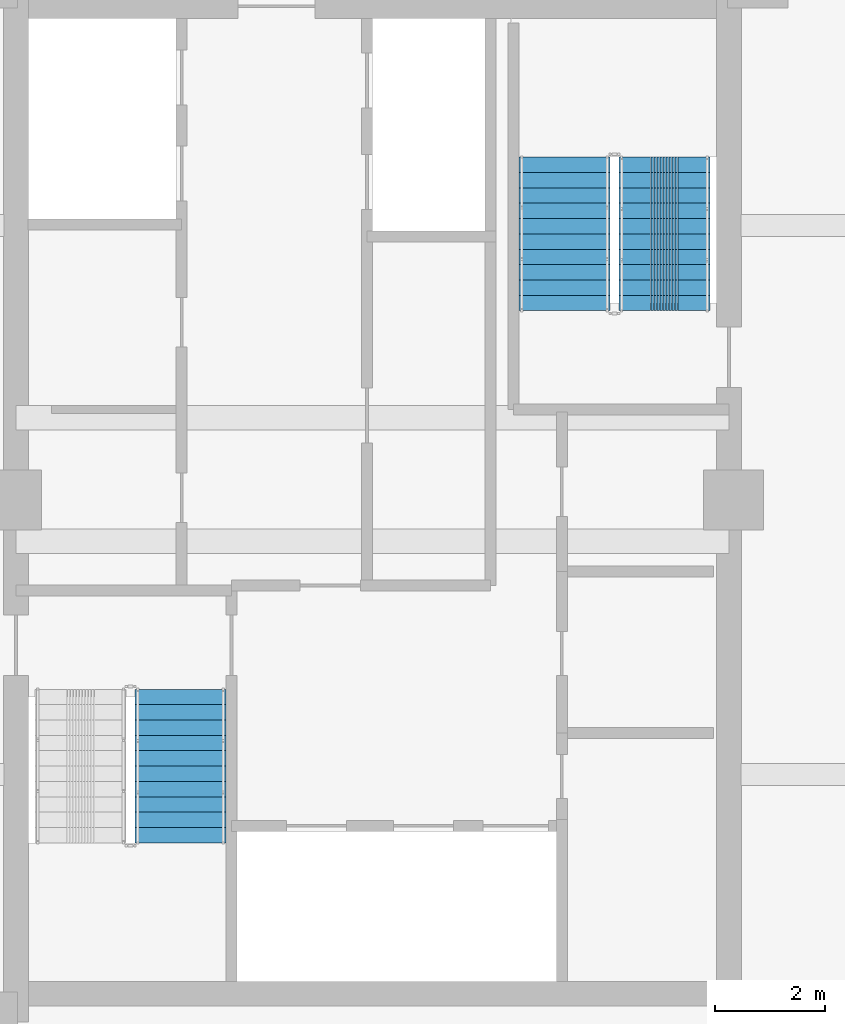
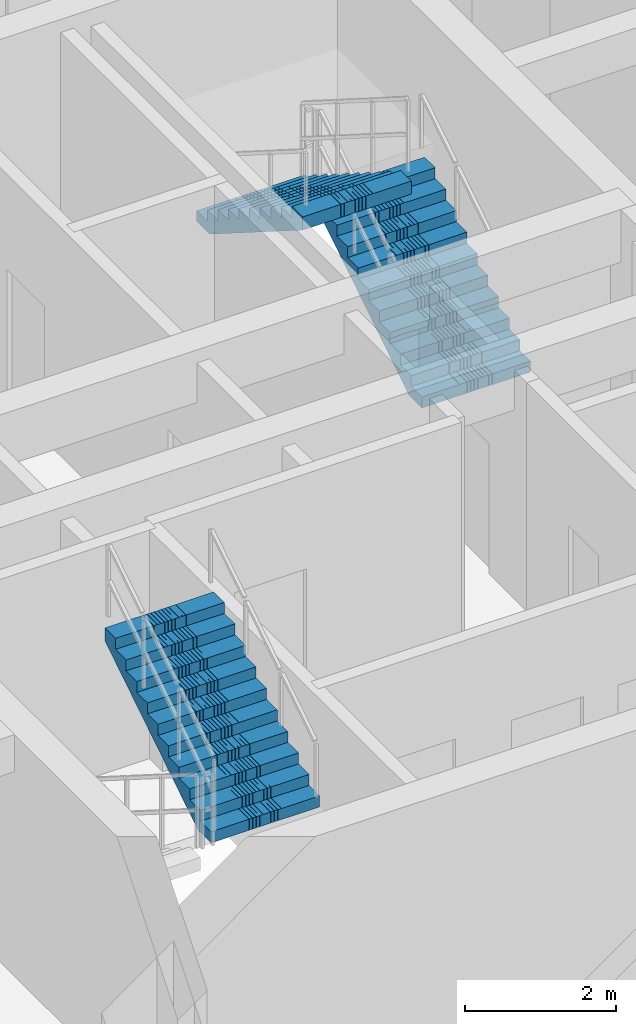
# One storey, part 8 of 13: 3 stair flights, 2 elements without a shape of their own.
"""IFC4 building model written with IfcOpenShell, lengths in metres."""

from ifc_helpers import new_model, si_unit, direction, frame, origin, place, context, subcontext, project, spatial, polyline, outline, extrude, material, type_object, element, aggregate, save


model = new_model("IFC4")

# Units and contexts
model_context = context("Model", 3, precision=1e-05, world=origin(), true_north=direction((0.0, 1.0)))
body_context = subcontext(model_context, "Body", "Model", "MODEL_VIEW")
ifc_project = project(units=[si_unit("LENGTHUNIT", "METRE"), si_unit("AREAUNIT", "SQUARE_METRE"), si_unit("VOLUMEUNIT", "CUBIC_METRE"), si_unit("PLANEANGLEUNIT", "RADIAN"), si_unit("MASSUNIT", "GRAM", prefix="KILO")], contexts=[model_context])

# Site, building, storey
site_placement = place(None, origin())
site = spatial("IfcSite", under=ifc_project, at=site_placement, CompositionType="ELEMENT")
building_placement = place(site_placement, origin())
building = spatial("IfcBuilding", under=site, at=building_placement, Name="Saelheon Loggia Tower", CompositionType="ELEMENT")
storey_placement = place(building_placement, frame((0.0, 0.0, 172.89990234375)))
storey = spatial("IfcBuildingStorey", under=building, at=storey_placement, Name="L54", CompositionType="ELEMENT", Elevation=172.89990234375)

# Stair, stair flight
ifc_material = material(Name="Concrete C40/50", Category="concrete")
stair_type = type_object("IfcStairType", Name="Stair_Escape_Core", PredefinedType="HALF_TURN_STAIR", material=ifc_material)
stair_1_placement = place(storey_placement, origin())
stair_1 = element("IfcStair", 1, at=stair_1_placement, inside=storey, type_object=stair_type, Name="L54 Special Escape Stair ST1", PredefinedType="HALF_TURN_STAIR")
stair_flight_type = type_object("IfcStairFlightType", Name="StairFlight_Tower_1660", PredefinedType="STRAIGHT", material=ifc_material)
stair_flight_1_placement = place(storey_placement, frame((34.5, 20.75, 1.9501953125), z_axis=(0.0, 0.0, 1.0), x_axis=(0.0, 1.0, 0.0)))
stair_flight_1 = element("IfcStairFlight", 2, at=stair_flight_1_placement, type_object=stair_flight_type, Name="ST1 flight 2", NumberOfRisers=11, NumberOfTreads=10, PredefinedType="STRAIGHT", RiserHeight=0.177272727, TreadLength=0.28, context=body_context, shape_type="SweptSolid", body=[
    extrude(outline(polyline([(0.0, 0.0), (0.0, 0.17724609375), (0.280029296875, 0.17724609375), (0.280029296875, 0.3544921875), (0.56005859375, 0.3544921875), (0.56005859375, 0.53173828125), (0.840087890625, 0.53173828125), (0.840087890625, 0.708984375), (1.1201171875, 0.708984375), (1.1201171875, 0.886474609375), (1.39990234375, 0.886474609375), (1.39990234375, 1.063720703125), (1.679931640625, 1.063720703125), (1.679931640625, 1.240966796875), (1.9599609375, 1.240966796875), (1.9599609375, 1.418212890625), (2.239990234375, 1.418212890625), (2.239990234375, 1.595458984375), (2.52001953125, 1.595458984375), (2.52001953125, 1.772705078125), (2.800048828125, 1.772705078125), (2.800048828125, 1.949951171875), (2.800048828125, 1.559814453125), (0.33642578125, 0.0), (0.0, 0.0)])), frame((0.0, -0.2490234375, 0.0), z_axis=(0.0, -1.0, 0.0), x_axis=(1.0, 0.0, 0.0)), (0.0, 0.0, 1.0), 0.5810546875),
    extrude(outline(polyline([(0.0, 0.0), (0.0, 0.17724609375), (0.280029296875, 0.17724609375), (0.280029296875, 0.3544921875), (0.56005859375, 0.3544921875), (0.56005859375, 0.53173828125), (0.840087890625, 0.53173828125), (0.840087890625, 0.708984375), (1.1201171875, 0.708984375), (1.1201171875, 0.886474609375), (1.39990234375, 0.886474609375), (1.39990234375, 1.063720703125), (1.679931640625, 1.063720703125), (1.679931640625, 1.240966796875), (1.9599609375, 1.240966796875), (1.9599609375, 1.418212890625), (2.239990234375, 1.418212890625), (2.239990234375, 1.595458984375), (2.52001953125, 1.595458984375), (2.52001953125, 1.772705078125), (2.800048828125, 1.772705078125), (2.800048828125, 1.949951171875), (2.800048828125, 1.559814453125), (0.33642578125, 0.0), (0.0, 0.0)])), frame((0.0, -0.194091796875, 0.0), z_axis=(0.0, -1.0, 0.0), x_axis=(1.0, 0.0, 0.0)), (0.0, 0.0, 1.0), 0.0498046875),
    extrude(outline(polyline([(0.0, 0.0), (0.0, 0.17724609375), (0.280029296875, 0.17724609375), (0.280029296875, 0.3544921875), (0.56005859375, 0.3544921875), (0.56005859375, 0.53173828125), (0.840087890625, 0.53173828125), (0.840087890625, 0.708984375), (1.1201171875, 0.708984375), (1.1201171875, 0.886474609375), (1.39990234375, 0.886474609375), (1.39990234375, 1.063720703125), (1.679931640625, 1.063720703125), (1.679931640625, 1.240966796875), (1.9599609375, 1.240966796875), (1.9599609375, 1.418212890625), (2.239990234375, 1.418212890625), (2.239990234375, 1.595458984375), (2.52001953125, 1.595458984375), (2.52001953125, 1.772705078125), (2.800048828125, 1.772705078125), (2.800048828125, 1.949951171875), (2.800048828125, 1.559814453125), (0.33642578125, 0.0), (0.0, 0.0)])), frame((0.0, -0.139404296875, 0.0), z_axis=(0.0, -1.0, 0.0), x_axis=(1.0, 0.0, 0.0)), (0.0, 0.0, 1.0), 0.0498046875),
    extrude(outline(polyline([(0.0, 0.0), (0.0, 0.17724609375), (0.280029296875, 0.17724609375), (0.280029296875, 0.3544921875), (0.56005859375, 0.3544921875), (0.56005859375, 0.53173828125), (0.840087890625, 0.53173828125), (0.840087890625, 0.708984375), (1.1201171875, 0.708984375), (1.1201171875, 0.886474609375), (1.39990234375, 0.886474609375), (1.39990234375, 1.063720703125), (1.679931640625, 1.063720703125), (1.679931640625, 1.240966796875), (1.9599609375, 1.240966796875), (1.9599609375, 1.418212890625), (2.239990234375, 1.418212890625), (2.239990234375, 1.595458984375), (2.52001953125, 1.595458984375), (2.52001953125, 1.772705078125), (2.800048828125, 1.772705078125), (2.800048828125, 1.949951171875), (2.800048828125, 1.559814453125), (0.33642578125, 0.0), (0.0, 0.0)])), frame((0.0, -0.084716796875, 0.0), z_axis=(0.0, -1.0, 0.0), x_axis=(1.0, 0.0, 0.0)), (0.0, 0.0, 1.0), 0.0498046875),
    extrude(outline(polyline([(0.0, 0.0), (0.0, 0.17724609375), (0.280029296875, 0.17724609375), (0.280029296875, 0.3544921875), (0.56005859375, 0.3544921875), (0.56005859375, 0.53173828125), (0.840087890625, 0.53173828125), (0.840087890625, 0.708984375), (1.1201171875, 0.708984375), (1.1201171875, 0.886474609375), (1.39990234375, 0.886474609375), (1.39990234375, 1.063720703125), (1.679931640625, 1.063720703125), (1.679931640625, 1.240966796875), (1.9599609375, 1.240966796875), (1.9599609375, 1.418212890625), (2.239990234375, 1.418212890625), (2.239990234375, 1.595458984375), (2.52001953125, 1.595458984375), (2.52001953125, 1.772705078125), (2.800048828125, 1.772705078125), (2.800048828125, 1.949951171875), (2.800048828125, 1.559814453125), (0.33642578125, 0.0), (0.0, 0.0)])), frame((0.0, -0.02978515625, 0.0), z_axis=(0.0, -1.0, 0.0), x_axis=(1.0, 0.0, 0.0)), (0.0, 0.0, 1.0), 0.0498046875),
    extrude(outline(polyline([(0.0, 0.0), (0.0, 0.17724609375), (0.280029296875, 0.17724609375), (0.280029296875, 0.3544921875), (0.56005859375, 0.3544921875), (0.56005859375, 0.53173828125), (0.840087890625, 0.53173828125), (0.840087890625, 0.708984375), (1.1201171875, 0.708984375), (1.1201171875, 0.886474609375), (1.39990234375, 0.886474609375), (1.39990234375, 1.063720703125), (1.679931640625, 1.063720703125), (1.679931640625, 1.240966796875), (1.9599609375, 1.240966796875), (1.9599609375, 1.418212890625), (2.239990234375, 1.418212890625), (2.239990234375, 1.595458984375), (2.52001953125, 1.595458984375), (2.52001953125, 1.772705078125), (2.800048828125, 1.772705078125), (2.800048828125, 1.949951171875), (2.800048828125, 1.559814453125), (0.33642578125, 0.0), (0.0, 0.0)])), frame((0.0, 0.02490234375, 0.0), z_axis=(0.0, -1.0, 0.0), x_axis=(1.0, 0.0, 0.0)), (0.0, 0.0, 1.0), 0.0498046875),
    extrude(outline(polyline([(0.0, 0.0), (0.0, 0.17724609375), (0.280029296875, 0.17724609375), (0.280029296875, 0.3544921875), (0.56005859375, 0.3544921875), (0.56005859375, 0.53173828125), (0.840087890625, 0.53173828125), (0.840087890625, 0.708984375), (1.1201171875, 0.708984375), (1.1201171875, 0.886474609375), (1.39990234375, 0.886474609375), (1.39990234375, 1.063720703125), (1.679931640625, 1.063720703125), (1.679931640625, 1.240966796875), (1.9599609375, 1.240966796875), (1.9599609375, 1.418212890625), (2.239990234375, 1.418212890625), (2.239990234375, 1.595458984375), (2.52001953125, 1.595458984375), (2.52001953125, 1.772705078125), (2.800048828125, 1.772705078125), (2.800048828125, 1.949951171875), (2.800048828125, 1.559814453125), (0.33642578125, 0.0), (0.0, 0.0)])), frame((0.0, 0.07958984375, 0.0), z_axis=(0.0, -1.0, 0.0), x_axis=(1.0, 0.0, 0.0)), (0.0, 0.0, 1.0), 0.0498046875),
    extrude(outline(polyline([(0.0, 0.0), (0.0, 0.17724609375), (0.280029296875, 0.17724609375), (0.280029296875, 0.3544921875), (0.56005859375, 0.3544921875), (0.56005859375, 0.53173828125), (0.840087890625, 0.53173828125), (0.840087890625, 0.708984375), (1.1201171875, 0.708984375), (1.1201171875, 0.886474609375), (1.39990234375, 0.886474609375), (1.39990234375, 1.063720703125), (1.679931640625, 1.063720703125), (1.679931640625, 1.240966796875), (1.9599609375, 1.240966796875), (1.9599609375, 1.418212890625), (2.239990234375, 1.418212890625), (2.239990234375, 1.595458984375), (2.52001953125, 1.595458984375), (2.52001953125, 1.772705078125), (2.800048828125, 1.772705078125), (2.800048828125, 1.949951171875), (2.800048828125, 1.559814453125), (0.33642578125, 0.0), (0.0, 0.0)])), frame((0.0, 0.134521484375, 0.0), z_axis=(0.0, -1.0, 0.0), x_axis=(1.0, 0.0, 0.0)), (0.0, 0.0, 1.0), 0.0498046875),
    extrude(outline(polyline([(0.0, 0.0), (0.0, 0.17724609375), (0.280029296875, 0.17724609375), (0.280029296875, 0.3544921875), (0.56005859375, 0.3544921875), (0.56005859375, 0.53173828125), (0.840087890625, 0.53173828125), (0.840087890625, 0.708984375), (1.1201171875, 0.708984375), (1.1201171875, 0.886474609375), (1.39990234375, 0.886474609375), (1.39990234375, 1.063720703125), (1.679931640625, 1.063720703125), (1.679931640625, 1.240966796875), (1.9599609375, 1.240966796875), (1.9599609375, 1.418212890625), (2.239990234375, 1.418212890625), (2.239990234375, 1.595458984375), (2.52001953125, 1.595458984375), (2.52001953125, 1.772705078125), (2.800048828125, 1.772705078125), (2.800048828125, 1.949951171875), (2.800048828125, 1.559814453125), (0.33642578125, 0.0), (0.0, 0.0)])), frame((0.0, 0.189208984375, 0.0), z_axis=(0.0, -1.0, 0.0), x_axis=(1.0, 0.0, 0.0)), (0.0, 0.0, 1.0), 0.0498046875),
    extrude(outline(polyline([(0.0, 0.0), (0.0, 0.17724609375), (0.280029296875, 0.17724609375), (0.280029296875, 0.3544921875), (0.56005859375, 0.3544921875), (0.56005859375, 0.53173828125), (0.840087890625, 0.53173828125), (0.840087890625, 0.708984375), (1.1201171875, 0.708984375), (1.1201171875, 0.886474609375), (1.39990234375, 0.886474609375), (1.39990234375, 1.063720703125), (1.679931640625, 1.063720703125), (1.679931640625, 1.240966796875), (1.9599609375, 1.240966796875), (1.9599609375, 1.418212890625), (2.239990234375, 1.418212890625), (2.239990234375, 1.595458984375), (2.52001953125, 1.595458984375), (2.52001953125, 1.772705078125), (2.800048828125, 1.772705078125), (2.800048828125, 1.949951171875), (2.800048828125, 1.559814453125), (0.33642578125, 0.0), (0.0, 0.0)])), frame((0.0, 0.243896484375, 0.0), z_axis=(0.0, -1.0, 0.0), x_axis=(1.0, 0.0, 0.0)), (0.0, 0.0, 1.0), 0.0498046875),
    extrude(outline(polyline([(0.0, 0.0), (0.0, 0.17724609375), (0.280029296875, 0.17724609375), (0.280029296875, 0.3544921875), (0.56005859375, 0.3544921875), (0.56005859375, 0.53173828125), (0.840087890625, 0.53173828125), (0.840087890625, 0.708984375), (1.1201171875, 0.708984375), (1.1201171875, 0.886474609375), (1.39990234375, 0.886474609375), (1.39990234375, 1.063720703125), (1.679931640625, 1.063720703125), (1.679931640625, 1.240966796875), (1.9599609375, 1.240966796875), (1.9599609375, 1.418212890625), (2.239990234375, 1.418212890625), (2.239990234375, 1.595458984375), (2.52001953125, 1.595458984375), (2.52001953125, 1.772705078125), (2.800048828125, 1.772705078125), (2.800048828125, 1.949951171875), (2.800048828125, 1.559814453125), (0.33642578125, 0.0), (0.0, 0.0)])), frame((0.0, 0.830078125, 0.0), z_axis=(0.0, -1.0, 0.0), x_axis=(1.0, 0.0, 0.0)), (0.0, 0.0, 1.0), 0.5810546875),
])
aggregate(stair_1, [stair_flight_1])

# Stair, stair flights
stair_2_placement = place(storey_placement, origin())
stair_2 = element("IfcStair", 3, at=stair_2_placement, inside=storey, type_object=stair_type, Name="L54 Special Escape Stair ST2", PredefinedType="HALF_TURN_STAIR")
stair_flight_2_placement = place(storey_placement, frame((43.320068359375, 30.449951171875, 0.0), z_axis=(0.0, 0.0, 1.0), x_axis=(0.0, 1.0, 0.0)))
stair_flight_2 = element("IfcStairFlight", 4, at=stair_flight_2_placement, type_object=stair_flight_type, Name="ST2 flight 1", NumberOfRisers=11, NumberOfTreads=10, PredefinedType="STRAIGHT", RiserHeight=0.177272727, TreadLength=0.28, context=body_context, shape_type="SweptSolid", body=[
    extrude(outline(polyline([(0.0, 0.0), (0.0, 0.17724609375), (0.280029296875, 0.17724609375), (0.280029296875, 0.3544921875), (0.56005859375, 0.3544921875), (0.56005859375, 0.53173828125), (0.840087890625, 0.53173828125), (0.840087890625, 0.708984375), (1.1201171875, 0.708984375), (1.1201171875, 0.886474609375), (1.39990234375, 0.886474609375), (1.39990234375, 1.063720703125), (1.679931640625, 1.063720703125), (1.679931640625, 1.240966796875), (1.9599609375, 1.240966796875), (1.9599609375, 1.418212890625), (2.239990234375, 1.418212890625), (2.239990234375, 1.595458984375), (2.52001953125, 1.595458984375), (2.52001953125, 1.772705078125), (2.800048828125, 1.772705078125), (2.800048828125, 1.949951171875), (2.800048828125, 1.559814453125), (0.33642578125, 0.0), (0.0, 0.0)])), frame((0.0, -0.2490234375, 0.0), z_axis=(0.0, -1.0, 0.0), x_axis=(1.0, 0.0, 0.0)), (0.0, 0.0, 1.0), 0.5810546875),
    extrude(outline(polyline([(0.0, 0.0), (0.0, 0.17724609375), (0.280029296875, 0.17724609375), (0.280029296875, 0.3544921875), (0.56005859375, 0.3544921875), (0.56005859375, 0.53173828125), (0.840087890625, 0.53173828125), (0.840087890625, 0.708984375), (1.1201171875, 0.708984375), (1.1201171875, 0.886474609375), (1.39990234375, 0.886474609375), (1.39990234375, 1.063720703125), (1.679931640625, 1.063720703125), (1.679931640625, 1.240966796875), (1.9599609375, 1.240966796875), (1.9599609375, 1.418212890625), (2.239990234375, 1.418212890625), (2.239990234375, 1.595458984375), (2.52001953125, 1.595458984375), (2.52001953125, 1.772705078125), (2.800048828125, 1.772705078125), (2.800048828125, 1.949951171875), (2.800048828125, 1.559814453125), (0.33642578125, 0.0), (0.0, 0.0)])), frame((0.0, -0.194091796875, 0.0), z_axis=(0.0, -1.0, 0.0), x_axis=(1.0, 0.0, 0.0)), (0.0, 0.0, 1.0), 0.0498046875),
    extrude(outline(polyline([(0.0, 0.0), (0.0, 0.17724609375), (0.280029296875, 0.17724609375), (0.280029296875, 0.3544921875), (0.56005859375, 0.3544921875), (0.56005859375, 0.53173828125), (0.840087890625, 0.53173828125), (0.840087890625, 0.708984375), (1.1201171875, 0.708984375), (1.1201171875, 0.886474609375), (1.39990234375, 0.886474609375), (1.39990234375, 1.063720703125), (1.679931640625, 1.063720703125), (1.679931640625, 1.240966796875), (1.9599609375, 1.240966796875), (1.9599609375, 1.418212890625), (2.239990234375, 1.418212890625), (2.239990234375, 1.595458984375), (2.52001953125, 1.595458984375), (2.52001953125, 1.772705078125), (2.800048828125, 1.772705078125), (2.800048828125, 1.949951171875), (2.800048828125, 1.559814453125), (0.33642578125, 0.0), (0.0, 0.0)])), frame((0.0, -0.139404296875, 0.0), z_axis=(0.0, -1.0, 0.0), x_axis=(1.0, 0.0, 0.0)), (0.0, 0.0, 1.0), 0.0498046875),
    extrude(outline(polyline([(0.0, 0.0), (0.0, 0.17724609375), (0.280029296875, 0.17724609375), (0.280029296875, 0.3544921875), (0.56005859375, 0.3544921875), (0.56005859375, 0.53173828125), (0.840087890625, 0.53173828125), (0.840087890625, 0.708984375), (1.1201171875, 0.708984375), (1.1201171875, 0.886474609375), (1.39990234375, 0.886474609375), (1.39990234375, 1.063720703125), (1.679931640625, 1.063720703125), (1.679931640625, 1.240966796875), (1.9599609375, 1.240966796875), (1.9599609375, 1.418212890625), (2.239990234375, 1.418212890625), (2.239990234375, 1.595458984375), (2.52001953125, 1.595458984375), (2.52001953125, 1.772705078125), (2.800048828125, 1.772705078125), (2.800048828125, 1.949951171875), (2.800048828125, 1.559814453125), (0.33642578125, 0.0), (0.0, 0.0)])), frame((0.0, -0.084716796875, 0.0), z_axis=(0.0, -1.0, 0.0), x_axis=(1.0, 0.0, 0.0)), (0.0, 0.0, 1.0), 0.0498046875),
    extrude(outline(polyline([(0.0, 0.0), (0.0, 0.17724609375), (0.280029296875, 0.17724609375), (0.280029296875, 0.3544921875), (0.56005859375, 0.3544921875), (0.56005859375, 0.53173828125), (0.840087890625, 0.53173828125), (0.840087890625, 0.708984375), (1.1201171875, 0.708984375), (1.1201171875, 0.886474609375), (1.39990234375, 0.886474609375), (1.39990234375, 1.063720703125), (1.679931640625, 1.063720703125), (1.679931640625, 1.240966796875), (1.9599609375, 1.240966796875), (1.9599609375, 1.418212890625), (2.239990234375, 1.418212890625), (2.239990234375, 1.595458984375), (2.52001953125, 1.595458984375), (2.52001953125, 1.772705078125), (2.800048828125, 1.772705078125), (2.800048828125, 1.949951171875), (2.800048828125, 1.559814453125), (0.33642578125, 0.0), (0.0, 0.0)])), frame((0.0, -0.02978515625, 0.0), z_axis=(0.0, -1.0, 0.0), x_axis=(1.0, 0.0, 0.0)), (0.0, 0.0, 1.0), 0.0498046875),
    extrude(outline(polyline([(0.0, 0.0), (0.0, 0.17724609375), (0.280029296875, 0.17724609375), (0.280029296875, 0.3544921875), (0.56005859375, 0.3544921875), (0.56005859375, 0.53173828125), (0.840087890625, 0.53173828125), (0.840087890625, 0.708984375), (1.1201171875, 0.708984375), (1.1201171875, 0.886474609375), (1.39990234375, 0.886474609375), (1.39990234375, 1.063720703125), (1.679931640625, 1.063720703125), (1.679931640625, 1.240966796875), (1.9599609375, 1.240966796875), (1.9599609375, 1.418212890625), (2.239990234375, 1.418212890625), (2.239990234375, 1.595458984375), (2.52001953125, 1.595458984375), (2.52001953125, 1.772705078125), (2.800048828125, 1.772705078125), (2.800048828125, 1.949951171875), (2.800048828125, 1.559814453125), (0.33642578125, 0.0), (0.0, 0.0)])), frame((0.0, 0.02490234375, 0.0), z_axis=(0.0, -1.0, 0.0), x_axis=(1.0, 0.0, 0.0)), (0.0, 0.0, 1.0), 0.0498046875),
    extrude(outline(polyline([(0.0, 0.0), (0.0, 0.17724609375), (0.280029296875, 0.17724609375), (0.280029296875, 0.3544921875), (0.56005859375, 0.3544921875), (0.56005859375, 0.53173828125), (0.840087890625, 0.53173828125), (0.840087890625, 0.708984375), (1.1201171875, 0.708984375), (1.1201171875, 0.886474609375), (1.39990234375, 0.886474609375), (1.39990234375, 1.063720703125), (1.679931640625, 1.063720703125), (1.679931640625, 1.240966796875), (1.9599609375, 1.240966796875), (1.9599609375, 1.418212890625), (2.239990234375, 1.418212890625), (2.239990234375, 1.595458984375), (2.52001953125, 1.595458984375), (2.52001953125, 1.772705078125), (2.800048828125, 1.772705078125), (2.800048828125, 1.949951171875), (2.800048828125, 1.559814453125), (0.33642578125, 0.0), (0.0, 0.0)])), frame((0.0, 0.07958984375, 0.0), z_axis=(0.0, -1.0, 0.0), x_axis=(1.0, 0.0, 0.0)), (0.0, 0.0, 1.0), 0.0498046875),
    extrude(outline(polyline([(0.0, 0.0), (0.0, 0.17724609375), (0.280029296875, 0.17724609375), (0.280029296875, 0.3544921875), (0.56005859375, 0.3544921875), (0.56005859375, 0.53173828125), (0.840087890625, 0.53173828125), (0.840087890625, 0.708984375), (1.1201171875, 0.708984375), (1.1201171875, 0.886474609375), (1.39990234375, 0.886474609375), (1.39990234375, 1.063720703125), (1.679931640625, 1.063720703125), (1.679931640625, 1.240966796875), (1.9599609375, 1.240966796875), (1.9599609375, 1.418212890625), (2.239990234375, 1.418212890625), (2.239990234375, 1.595458984375), (2.52001953125, 1.595458984375), (2.52001953125, 1.772705078125), (2.800048828125, 1.772705078125), (2.800048828125, 1.949951171875), (2.800048828125, 1.559814453125), (0.33642578125, 0.0), (0.0, 0.0)])), frame((0.0, 0.134521484375, 0.0), z_axis=(0.0, -1.0, 0.0), x_axis=(1.0, 0.0, 0.0)), (0.0, 0.0, 1.0), 0.0498046875),
    extrude(outline(polyline([(0.0, 0.0), (0.0, 0.17724609375), (0.280029296875, 0.17724609375), (0.280029296875, 0.3544921875), (0.56005859375, 0.3544921875), (0.56005859375, 0.53173828125), (0.840087890625, 0.53173828125), (0.840087890625, 0.708984375), (1.1201171875, 0.708984375), (1.1201171875, 0.886474609375), (1.39990234375, 0.886474609375), (1.39990234375, 1.063720703125), (1.679931640625, 1.063720703125), (1.679931640625, 1.240966796875), (1.9599609375, 1.240966796875), (1.9599609375, 1.418212890625), (2.239990234375, 1.418212890625), (2.239990234375, 1.595458984375), (2.52001953125, 1.595458984375), (2.52001953125, 1.772705078125), (2.800048828125, 1.772705078125), (2.800048828125, 1.949951171875), (2.800048828125, 1.559814453125), (0.33642578125, 0.0), (0.0, 0.0)])), frame((0.0, 0.189208984375, 0.0), z_axis=(0.0, -1.0, 0.0), x_axis=(1.0, 0.0, 0.0)), (0.0, 0.0, 1.0), 0.0498046875),
    extrude(outline(polyline([(0.0, 0.0), (0.0, 0.17724609375), (0.280029296875, 0.17724609375), (0.280029296875, 0.3544921875), (0.56005859375, 0.3544921875), (0.56005859375, 0.53173828125), (0.840087890625, 0.53173828125), (0.840087890625, 0.708984375), (1.1201171875, 0.708984375), (1.1201171875, 0.886474609375), (1.39990234375, 0.886474609375), (1.39990234375, 1.063720703125), (1.679931640625, 1.063720703125), (1.679931640625, 1.240966796875), (1.9599609375, 1.240966796875), (1.9599609375, 1.418212890625), (2.239990234375, 1.418212890625), (2.239990234375, 1.595458984375), (2.52001953125, 1.595458984375), (2.52001953125, 1.772705078125), (2.800048828125, 1.772705078125), (2.800048828125, 1.949951171875), (2.800048828125, 1.559814453125), (0.33642578125, 0.0), (0.0, 0.0)])), frame((0.0, 0.243896484375, 0.0), z_axis=(0.0, -1.0, 0.0), x_axis=(1.0, 0.0, 0.0)), (0.0, 0.0, 1.0), 0.0498046875),
    extrude(outline(polyline([(0.0, 0.0), (0.0, 0.17724609375), (0.280029296875, 0.17724609375), (0.280029296875, 0.3544921875), (0.56005859375, 0.3544921875), (0.56005859375, 0.53173828125), (0.840087890625, 0.53173828125), (0.840087890625, 0.708984375), (1.1201171875, 0.708984375), (1.1201171875, 0.886474609375), (1.39990234375, 0.886474609375), (1.39990234375, 1.063720703125), (1.679931640625, 1.063720703125), (1.679931640625, 1.240966796875), (1.9599609375, 1.240966796875), (1.9599609375, 1.418212890625), (2.239990234375, 1.418212890625), (2.239990234375, 1.595458984375), (2.52001953125, 1.595458984375), (2.52001953125, 1.772705078125), (2.800048828125, 1.772705078125), (2.800048828125, 1.949951171875), (2.800048828125, 1.559814453125), (0.33642578125, 0.0), (0.0, 0.0)])), frame((0.0, 0.830078125, 0.0), z_axis=(0.0, -1.0, 0.0), x_axis=(1.0, 0.0, 0.0)), (0.0, 0.0, 1.0), 0.5810546875),
])
stair_flight_3_placement = place(storey_placement, frame((41.5, 33.25, 1.9501953125), z_axis=(0.0, 0.0, 1.0), x_axis=(0.0, -1.0, 0.0)))
stair_flight_3 = element("IfcStairFlight", 5, at=stair_flight_3_placement, type_object=stair_flight_type, Name="ST2 flight 2", NumberOfRisers=11, NumberOfTreads=10, PredefinedType="STRAIGHT", RiserHeight=0.177272727, TreadLength=0.28, context=body_context, shape_type="SweptSolid", body=[
    extrude(outline(polyline([(0.0, 0.0), (0.0, 0.17724609375), (0.280029296875, 0.17724609375), (0.280029296875, 0.3544921875), (0.56005859375, 0.3544921875), (0.56005859375, 0.53173828125), (0.840087890625, 0.53173828125), (0.840087890625, 0.708984375), (1.1201171875, 0.708984375), (1.1201171875, 0.886474609375), (1.39990234375, 0.886474609375), (1.39990234375, 1.063720703125), (1.679931640625, 1.063720703125), (1.679931640625, 1.240966796875), (1.9599609375, 1.240966796875), (1.9599609375, 1.418212890625), (2.239990234375, 1.418212890625), (2.239990234375, 1.595458984375), (2.52001953125, 1.595458984375), (2.52001953125, 1.772705078125), (2.800048828125, 1.772705078125), (2.800048828125, 1.949951171875), (2.800048828125, 1.559814453125), (0.33642578125, 0.0), (0.0, 0.0)])), frame((0.0, -0.2490234375, 0.0), z_axis=(0.0, -1.0, 0.0), x_axis=(1.0, 0.0, 0.0)), (0.0, 0.0, 1.0), 0.5810546875),
    extrude(outline(polyline([(0.0, 0.0), (0.0, 0.17724609375), (0.280029296875, 0.17724609375), (0.280029296875, 0.3544921875), (0.56005859375, 0.3544921875), (0.56005859375, 0.53173828125), (0.840087890625, 0.53173828125), (0.840087890625, 0.708984375), (1.1201171875, 0.708984375), (1.1201171875, 0.886474609375), (1.39990234375, 0.886474609375), (1.39990234375, 1.063720703125), (1.679931640625, 1.063720703125), (1.679931640625, 1.240966796875), (1.9599609375, 1.240966796875), (1.9599609375, 1.418212890625), (2.239990234375, 1.418212890625), (2.239990234375, 1.595458984375), (2.52001953125, 1.595458984375), (2.52001953125, 1.772705078125), (2.800048828125, 1.772705078125), (2.800048828125, 1.949951171875), (2.800048828125, 1.559814453125), (0.33642578125, 0.0), (0.0, 0.0)])), frame((0.0, -0.194091796875, 0.0), z_axis=(0.0, -1.0, 0.0), x_axis=(1.0, 0.0, 0.0)), (0.0, 0.0, 1.0), 0.0498046875),
    extrude(outline(polyline([(0.0, 0.0), (0.0, 0.17724609375), (0.280029296875, 0.17724609375), (0.280029296875, 0.3544921875), (0.56005859375, 0.3544921875), (0.56005859375, 0.53173828125), (0.840087890625, 0.53173828125), (0.840087890625, 0.708984375), (1.1201171875, 0.708984375), (1.1201171875, 0.886474609375), (1.39990234375, 0.886474609375), (1.39990234375, 1.063720703125), (1.679931640625, 1.063720703125), (1.679931640625, 1.240966796875), (1.9599609375, 1.240966796875), (1.9599609375, 1.418212890625), (2.239990234375, 1.418212890625), (2.239990234375, 1.595458984375), (2.52001953125, 1.595458984375), (2.52001953125, 1.772705078125), (2.800048828125, 1.772705078125), (2.800048828125, 1.949951171875), (2.800048828125, 1.559814453125), (0.33642578125, 0.0), (0.0, 0.0)])), frame((0.0, -0.139404296875, 0.0), z_axis=(0.0, -1.0, 0.0), x_axis=(1.0, 0.0, 0.0)), (0.0, 0.0, 1.0), 0.0498046875),
    extrude(outline(polyline([(0.0, 0.0), (0.0, 0.17724609375), (0.280029296875, 0.17724609375), (0.280029296875, 0.3544921875), (0.56005859375, 0.3544921875), (0.56005859375, 0.53173828125), (0.840087890625, 0.53173828125), (0.840087890625, 0.708984375), (1.1201171875, 0.708984375), (1.1201171875, 0.886474609375), (1.39990234375, 0.886474609375), (1.39990234375, 1.063720703125), (1.679931640625, 1.063720703125), (1.679931640625, 1.240966796875), (1.9599609375, 1.240966796875), (1.9599609375, 1.418212890625), (2.239990234375, 1.418212890625), (2.239990234375, 1.595458984375), (2.52001953125, 1.595458984375), (2.52001953125, 1.772705078125), (2.800048828125, 1.772705078125), (2.800048828125, 1.949951171875), (2.800048828125, 1.559814453125), (0.33642578125, 0.0), (0.0, 0.0)])), frame((0.0, -0.084716796875, 0.0), z_axis=(0.0, -1.0, 0.0), x_axis=(1.0, 0.0, 0.0)), (0.0, 0.0, 1.0), 0.0498046875),
    extrude(outline(polyline([(0.0, 0.0), (0.0, 0.17724609375), (0.280029296875, 0.17724609375), (0.280029296875, 0.3544921875), (0.56005859375, 0.3544921875), (0.56005859375, 0.53173828125), (0.840087890625, 0.53173828125), (0.840087890625, 0.708984375), (1.1201171875, 0.708984375), (1.1201171875, 0.886474609375), (1.39990234375, 0.886474609375), (1.39990234375, 1.063720703125), (1.679931640625, 1.063720703125), (1.679931640625, 1.240966796875), (1.9599609375, 1.240966796875), (1.9599609375, 1.418212890625), (2.239990234375, 1.418212890625), (2.239990234375, 1.595458984375), (2.52001953125, 1.595458984375), (2.52001953125, 1.772705078125), (2.800048828125, 1.772705078125), (2.800048828125, 1.949951171875), (2.800048828125, 1.559814453125), (0.33642578125, 0.0), (0.0, 0.0)])), frame((0.0, -0.02978515625, 0.0), z_axis=(0.0, -1.0, 0.0), x_axis=(1.0, 0.0, 0.0)), (0.0, 0.0, 1.0), 0.0498046875),
    extrude(outline(polyline([(0.0, 0.0), (0.0, 0.17724609375), (0.280029296875, 0.17724609375), (0.280029296875, 0.3544921875), (0.56005859375, 0.3544921875), (0.56005859375, 0.53173828125), (0.840087890625, 0.53173828125), (0.840087890625, 0.708984375), (1.1201171875, 0.708984375), (1.1201171875, 0.886474609375), (1.39990234375, 0.886474609375), (1.39990234375, 1.063720703125), (1.679931640625, 1.063720703125), (1.679931640625, 1.240966796875), (1.9599609375, 1.240966796875), (1.9599609375, 1.418212890625), (2.239990234375, 1.418212890625), (2.239990234375, 1.595458984375), (2.52001953125, 1.595458984375), (2.52001953125, 1.772705078125), (2.800048828125, 1.772705078125), (2.800048828125, 1.949951171875), (2.800048828125, 1.559814453125), (0.33642578125, 0.0), (0.0, 0.0)])), frame((0.0, 0.02490234375, 0.0), z_axis=(0.0, -1.0, 0.0), x_axis=(1.0, 0.0, 0.0)), (0.0, 0.0, 1.0), 0.0498046875),
    extrude(outline(polyline([(0.0, 0.0), (0.0, 0.17724609375), (0.280029296875, 0.17724609375), (0.280029296875, 0.3544921875), (0.56005859375, 0.3544921875), (0.56005859375, 0.53173828125), (0.840087890625, 0.53173828125), (0.840087890625, 0.708984375), (1.1201171875, 0.708984375), (1.1201171875, 0.886474609375), (1.39990234375, 0.886474609375), (1.39990234375, 1.063720703125), (1.679931640625, 1.063720703125), (1.679931640625, 1.240966796875), (1.9599609375, 1.240966796875), (1.9599609375, 1.418212890625), (2.239990234375, 1.418212890625), (2.239990234375, 1.595458984375), (2.52001953125, 1.595458984375), (2.52001953125, 1.772705078125), (2.800048828125, 1.772705078125), (2.800048828125, 1.949951171875), (2.800048828125, 1.559814453125), (0.33642578125, 0.0), (0.0, 0.0)])), frame((0.0, 0.07958984375, 0.0), z_axis=(0.0, -1.0, 0.0), x_axis=(1.0, 0.0, 0.0)), (0.0, 0.0, 1.0), 0.0498046875),
    extrude(outline(polyline([(0.0, 0.0), (0.0, 0.17724609375), (0.280029296875, 0.17724609375), (0.280029296875, 0.3544921875), (0.56005859375, 0.3544921875), (0.56005859375, 0.53173828125), (0.840087890625, 0.53173828125), (0.840087890625, 0.708984375), (1.1201171875, 0.708984375), (1.1201171875, 0.886474609375), (1.39990234375, 0.886474609375), (1.39990234375, 1.063720703125), (1.679931640625, 1.063720703125), (1.679931640625, 1.240966796875), (1.9599609375, 1.240966796875), (1.9599609375, 1.418212890625), (2.239990234375, 1.418212890625), (2.239990234375, 1.595458984375), (2.52001953125, 1.595458984375), (2.52001953125, 1.772705078125), (2.800048828125, 1.772705078125), (2.800048828125, 1.949951171875), (2.800048828125, 1.559814453125), (0.33642578125, 0.0), (0.0, 0.0)])), frame((0.0, 0.134521484375, 0.0), z_axis=(0.0, -1.0, 0.0), x_axis=(1.0, 0.0, 0.0)), (0.0, 0.0, 1.0), 0.0498046875),
    extrude(outline(polyline([(0.0, 0.0), (0.0, 0.17724609375), (0.280029296875, 0.17724609375), (0.280029296875, 0.3544921875), (0.56005859375, 0.3544921875), (0.56005859375, 0.53173828125), (0.840087890625, 0.53173828125), (0.840087890625, 0.708984375), (1.1201171875, 0.708984375), (1.1201171875, 0.886474609375), (1.39990234375, 0.886474609375), (1.39990234375, 1.063720703125), (1.679931640625, 1.063720703125), (1.679931640625, 1.240966796875), (1.9599609375, 1.240966796875), (1.9599609375, 1.418212890625), (2.239990234375, 1.418212890625), (2.239990234375, 1.595458984375), (2.52001953125, 1.595458984375), (2.52001953125, 1.772705078125), (2.800048828125, 1.772705078125), (2.800048828125, 1.949951171875), (2.800048828125, 1.559814453125), (0.33642578125, 0.0), (0.0, 0.0)])), frame((0.0, 0.189208984375, 0.0), z_axis=(0.0, -1.0, 0.0), x_axis=(1.0, 0.0, 0.0)), (0.0, 0.0, 1.0), 0.0498046875),
    extrude(outline(polyline([(0.0, 0.0), (0.0, 0.17724609375), (0.280029296875, 0.17724609375), (0.280029296875, 0.3544921875), (0.56005859375, 0.3544921875), (0.56005859375, 0.53173828125), (0.840087890625, 0.53173828125), (0.840087890625, 0.708984375), (1.1201171875, 0.708984375), (1.1201171875, 0.886474609375), (1.39990234375, 0.886474609375), (1.39990234375, 1.063720703125), (1.679931640625, 1.063720703125), (1.679931640625, 1.240966796875), (1.9599609375, 1.240966796875), (1.9599609375, 1.418212890625), (2.239990234375, 1.418212890625), (2.239990234375, 1.595458984375), (2.52001953125, 1.595458984375), (2.52001953125, 1.772705078125), (2.800048828125, 1.772705078125), (2.800048828125, 1.949951171875), (2.800048828125, 1.559814453125), (0.33642578125, 0.0), (0.0, 0.0)])), frame((0.0, 0.243896484375, 0.0), z_axis=(0.0, -1.0, 0.0), x_axis=(1.0, 0.0, 0.0)), (0.0, 0.0, 1.0), 0.0498046875),
    extrude(outline(polyline([(0.0, 0.0), (0.0, 0.17724609375), (0.280029296875, 0.17724609375), (0.280029296875, 0.3544921875), (0.56005859375, 0.3544921875), (0.56005859375, 0.53173828125), (0.840087890625, 0.53173828125), (0.840087890625, 0.708984375), (1.1201171875, 0.708984375), (1.1201171875, 0.886474609375), (1.39990234375, 0.886474609375), (1.39990234375, 1.063720703125), (1.679931640625, 1.063720703125), (1.679931640625, 1.240966796875), (1.9599609375, 1.240966796875), (1.9599609375, 1.418212890625), (2.239990234375, 1.418212890625), (2.239990234375, 1.595458984375), (2.52001953125, 1.595458984375), (2.52001953125, 1.772705078125), (2.800048828125, 1.772705078125), (2.800048828125, 1.949951171875), (2.800048828125, 1.559814453125), (0.33642578125, 0.0), (0.0, 0.0)])), frame((0.0, 0.830078125, 0.0), z_axis=(0.0, -1.0, 0.0), x_axis=(1.0, 0.0, 0.0)), (0.0, 0.0, 1.0), 0.5810546875),
])
aggregate(stair_2, [stair_flight_2, stair_flight_3])

save(model, "model.ifc")
